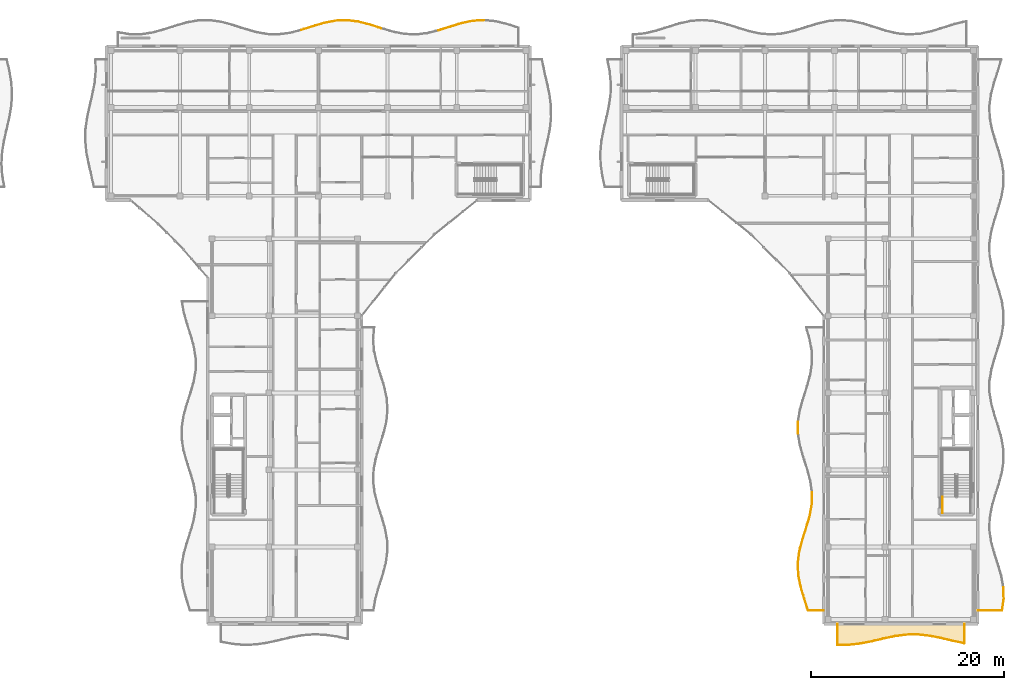
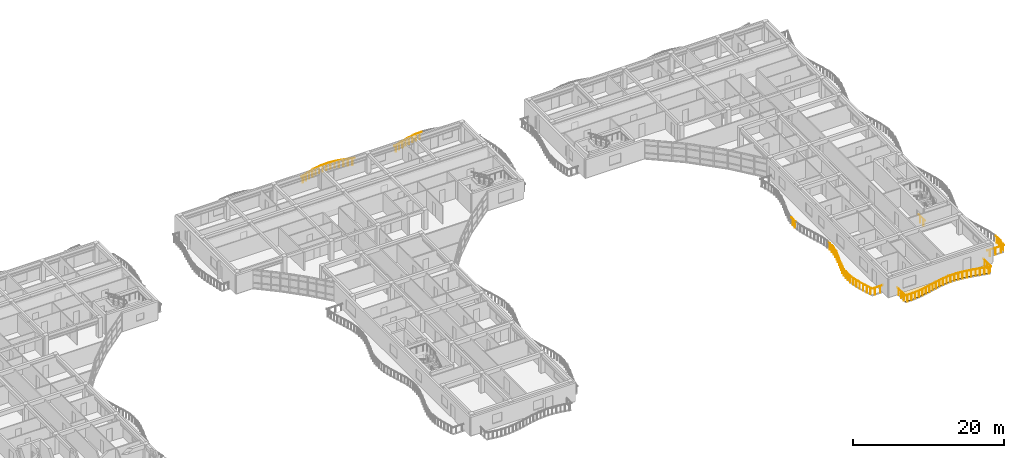
# One storey, part 69 of 76: 40 railings, 1 covering.
"""IFC4 building model written with IfcOpenShell, lengths in metres."""

import ifcopenshell
import ifcopenshell.guid

model = None  # the IFC model being written
_history = None  # IfcOwnerHistory: only IFC2X3 demands one
_inside = {}  # id of a spatial element -> (the spatial element, [elements in it])
_under = {}  # id of a project, library or spatial element -> (it, [spatial elements below it])
_declared = {}  # id of a project -> (the project, [libraries it declares])
_typed = {}  # id of a type object -> (the type object, [elements of that type])
_made_of = {}  # id of a material, layer set ... -> (it, [elements and type objects made of it])


def new_model(schema):
    """Start an empty IFC model of exactly this schema.

    Asked for "IFC4X3", IfcOpenShell would pick the latest addendum, in which some entities
    have other attributes; the version numbers below select the first issue.
    IFC2X3 requires an IfcOwnerHistory on every rooted entity: one is made here for all.
    """
    global model, _history
    if schema == "IFC4X3":
        model = ifcopenshell.file(schema_version=(4, 3, 0, 0))
    else:
        model = ifcopenshell.file(schema=schema)
    _inside.clear()
    _under.clear()
    _declared.clear()
    _typed.clear()
    _made_of.clear()
    _history = None
    if model.schema == "IFC2X3":
        org = make("IfcOrganization", Name="unknown")
        user = make(
            "IfcPersonAndOrganization",
            ThePerson=make("IfcPerson", FamilyName="unknown"),
            TheOrganization=org,
        )
        app = make(
            "IfcApplication",
            ApplicationDeveloper=org,
            Version="unknown",
            ApplicationFullName="unknown",
            ApplicationIdentifier="unknown",
        )
        _history = make(
            "IfcOwnerHistory",
            OwningUser=user,
            OwningApplication=app,
            ChangeAction="ADDED",
            CreationDate=0,
        )
    return model


def make(cls, **values):
    """One entity of the class cls with the attributes given. An attribute that is None is left unset."""
    return model.create_entity(
        cls, **{name: value for name, value in values.items() if value is not None}
    )


def rooted(cls, **values):
    """An entity with a GlobalId (a new one), such as an element, a storey or a relation."""
    return make(cls, GlobalId=ifcopenshell.guid.new(), OwnerHistory=_history, **values)


def si_unit(unit_type, name, prefix=None):
    """IfcSIUnit, for example si_unit("LENGTHUNIT", "METRE", prefix="MILLI")."""
    return make("IfcSIUnit", UnitType=unit_type, Prefix=prefix, Name=name)


def assignment(units):
    """IfcUnitAssignment: the units of a project."""
    return None if units is None else make("IfcUnitAssignment", Units=units)


def point(xyz):
    """IfcCartesianPoint."""
    return None if xyz is None else make("IfcCartesianPoint", Coordinates=xyz)


def direction(xyz):
    """IfcDirection."""
    return None if xyz is None else make("IfcDirection", DirectionRatios=xyz)


def frame(location, z_axis=None, x_axis=None):
    """IfcAxis2Placement3D, a coordinate frame: its origin and axes. An axis left out is left unset."""
    return make(
        "IfcAxis2Placement3D",
        Location=point(location),
        Axis=direction(z_axis),
        RefDirection=direction(x_axis),
    )


def frame_2d(location, x_axis=None):
    """IfcAxis2Placement2D, a coordinate frame in the plane: its origin and x axis."""
    return make(
        "IfcAxis2Placement2D", Location=point(location), RefDirection=direction(x_axis)
    )


def origin():
    """The frame at (0, 0, 0) with its axes left unset."""
    return frame((0.0, 0.0, 0.0))


def origin_2d():
    """The frame at (0, 0) in the plane with its x axis left unset."""
    return frame_2d((0.0, 0.0))


def place(relative_to, where):
    """IfcLocalPlacement: puts the frame where relative to a parent placement (None: the world)."""
    return make(
        "IfcLocalPlacement", PlacementRelTo=relative_to, RelativePlacement=where
    )


def context(
    kind, dimensions, precision=None, world=None, true_north=None, identifier=None
):
    """IfcGeometricRepresentationContext, for example the 3D "Model" context."""
    return make(
        "IfcGeometricRepresentationContext",
        ContextIdentifier=identifier,
        ContextType=kind,
        CoordinateSpaceDimension=dimensions,
        Precision=precision,
        WorldCoordinateSystem=world,
        TrueNorth=true_north,
    )


def subcontext(parent, identifier, kind, view, scale=None):
    """IfcGeometricRepresentationSubContext, for example "Body" below "Model"."""
    return make(
        "IfcGeometricRepresentationSubContext",
        ContextIdentifier=identifier,
        ContextType=kind,
        ParentContext=parent,
        TargetScale=scale,
        TargetView=view,
    )


def project(units=None, contexts=None):
    """IfcProject with its units and contexts."""
    return rooted(
        "IfcProject",
        Name="project",
        RepresentationContexts=contexts,
        UnitsInContext=assignment(units),
    )


def spatial(cls, under=None, at=None, **own):
    """A site, building, storey or space (cls), placed at a placement, below another one or the project."""
    s = rooted(cls, ObjectPlacement=at, **own)
    if under is not None:
        _under.setdefault(under.id(), (under, []))[1].append(s)
    return s


def polyline(points):
    """IfcPolyline through the points."""
    return make("IfcPolyline", Points=[point(p) for p in points])


def profile(cls, at=None, kind="AREA", **sizes):
    """A parametric profile (cls). Its sizes go by their IFC names, for example OverallWidth=200.0."""
    return make(cls, ProfileType=kind, Position=at, **sizes)


def circle(**sizes):
    """IfcCircleProfileDef."""
    return profile("IfcCircleProfileDef", **sizes)


def outline(outer, holes=None, kind="AREA"):
    """IfcArbitraryClosedProfileDef: a profile drawn as a closed curve; with holes, ...WithVoids."""
    if holes is None:
        return make("IfcArbitraryClosedProfileDef", ProfileType=kind, OuterCurve=outer)
    return make(
        "IfcArbitraryProfileDefWithVoids",
        ProfileType=kind,
        OuterCurve=outer,
        InnerCurves=holes,
    )


def extrude(swept, where, along, depth):
    """IfcExtrudedAreaSolid: the profile swept, set in the frame where, extruded along a direction by depth."""
    return make(
        "IfcExtrudedAreaSolid",
        SweptArea=swept,
        Position=where,
        ExtrudedDirection=direction(along),
        Depth=depth,
    )


def shape(context_of_items, identifier, shape_type, items):
    """IfcShapeRepresentation: the items that make up one representation, for example the "Body"."""
    return make(
        "IfcShapeRepresentation",
        ContextOfItems=context_of_items,
        RepresentationIdentifier=identifier,
        RepresentationType=shape_type,
        Items=items,
    )


def material(Name=None, Category=None):
    """IfcMaterial."""
    return make("IfcMaterial", Name=Name, Category=Category)


def layer(
    of_material, thickness, ventilated=None, Name=None, Category=None, Priority=None
):
    """IfcMaterialLayer: one layer of a wall or slab, of a material (None: an air gap)."""
    return make(
        "IfcMaterialLayer",
        Material=of_material,
        LayerThickness=thickness,
        IsVentilated=ventilated,
        Name=Name,
        Category=Category,
        Priority=Priority,
    )


def layer_set(layers, Name=None):
    """IfcMaterialLayerSet."""
    return make("IfcMaterialLayerSet", MaterialLayers=layers, LayerSetName=Name)


def made_of(thing, what):
    """Note that an element or type object is made of a material, layer set ...; save() writes the relation."""
    if what is not None:
        _made_of.setdefault(what.id(), (what, []))[1].append(thing)
    return thing


def type_object(cls, material=None, **own):
    """A type object (cls), such as IfcWallType, which elements share."""
    return made_of(rooted(cls, **own), material)


def element(
    cls,
    number,
    at=None,
    inside=None,
    cuts=None,
    type_object=None,
    material=None,
    context=None,
    identifier="Body",
    shape_type=None,
    held_by="IfcProductDefinitionShape",
    body=None,
    shapes=None,
    **own,
):
    """One element of the class cls, such as IfcWall. Its Tag is "e" and its number.

    at: its placement. inside: the storey or other place that contains it. cuts: it is an
    opening in that element (IfcRelVoidsElement). A single representation is given by context,
    identifier, shape_type and body (its items); several are given by shapes. held_by: the class
    of the entity that holds the representations. save() writes the other relations.
    """
    e = rooted(cls, Tag="e%d" % number, ObjectPlacement=at, **own)
    if body is not None:
        shapes = [shape(context, identifier, shape_type, body)]
    if shapes is not None:
        e.Representation = make(held_by, Representations=shapes)
    if inside is not None:
        _inside.setdefault(inside.id(), (inside, []))[1].append(e)
    if cuts is not None:
        rooted(
            "IfcRelVoidsElement", RelatingBuildingElement=cuts, RelatedOpeningElement=e
        )
    if type_object is not None:
        _typed.setdefault(type_object.id(), (type_object, []))[1].append(e)
    return made_of(e, material)


def aggregate(whole, parts):
    """IfcRelAggregates: a whole, such as a stair, and the parts it consists of."""
    return rooted("IfcRelAggregates", RelatingObject=whole, RelatedObjects=parts)


def save(model, path):
    """Write the relations noted so far, then the file.

    IfcRelAggregates (storeys below a building ...), IfcRelContainedInSpatialStructure (elements
    in a storey), IfcRelDefinesByType, IfcRelAssociatesMaterial and IfcRelDeclares: one each for
    every whole, place, type object, material and project.
    """
    for whole, parts in _under.values():
        aggregate(whole, parts)
    for where, things in _inside.values():
        rooted(
            "IfcRelContainedInSpatialStructure",
            RelatedElements=things,
            RelatingStructure=where,
        )
    for kind, things in _typed.values():
        rooted("IfcRelDefinesByType", RelatedObjects=things, RelatingType=kind)
    for what, things in _made_of.values():
        rooted("IfcRelAssociatesMaterial", RelatedObjects=things, RelatingMaterial=what)
    for by, libraries in _declared.values():
        rooted("IfcRelDeclares", RelatingContext=by, RelatedDefinitions=libraries)
    model.write(path)


model = new_model("IFC4")

# Units and contexts
model_context = context("Model", 3, precision=1e-05, world=origin(), true_north=direction((0.0, 1.0)))
body_context = subcontext(model_context, "Body", "Model", "MODEL_VIEW")
ifc_project = project(units=[si_unit("LENGTHUNIT", "METRE"), si_unit("AREAUNIT", "SQUARE_METRE"), si_unit("VOLUMEUNIT", "CUBIC_METRE"), si_unit("PLANEANGLEUNIT", "RADIAN"), si_unit("MASSUNIT", "GRAM", prefix="KILO")], contexts=[model_context])

# Site, building, storey
site_placement = place(None, origin())
site = spatial("IfcSite", under=ifc_project, at=site_placement, CompositionType="ELEMENT")
building_placement = place(site_placement, origin())
building = spatial("IfcBuilding", under=site, at=building_placement, Name="Keldmere Railside Commons", CompositionType="ELEMENT")
storey_placement = place(building_placement, frame((0.0, 0.0, 13.760009765625)))
storey = spatial("IfcBuildingStorey", under=building, at=storey_placement, Name="L04", CompositionType="ELEMENT", Elevation=13.760009765625)

# Railings
ifc_material_1 = material(Name="Steel F-24 (S235)", Category="steel")
railing_type_1 = type_object("IfcRailingType", Name="Balcony & Terrace Steel Balustrade 1100", PredefinedType="BALUSTRADE", material=ifc_material_1)
railing_1_placement = place(storey_placement, frame((113.717041015625, 117.6796875, 0.0)))
element("IfcRailing", 1, at=railing_1_placement, inside=storey, type_object=railing_type_1, Name="GR-1 GRD-L04-2254", PredefinedType="BALUSTRADE", context=body_context, shape_type="SweptSolid", body=[
    extrude(circle(Radius=0.02392578125, at=origin_2d()), frame((0.0, 0.0, 1.076171875), z_axis=(0.951973620287, 0.306180055323, 0.0), x_axis=(-0.306180055323, 0.951973620287, 0.0)), (0.0, 0.0, 1.0), 1.248779296875),
    extrude(circle(Radius=0.02099609375, at=origin_2d()), frame((0.297119140625, 0.095703125, 0.0)), (0.0, 0.0, 1.0), 1.048095703125),
    extrude(circle(Radius=0.02099609375, at=origin_2d()), frame((0.8916015625, 0.28662109375, 0.0)), (0.0, 0.0, 1.0), 1.048095703125),
])
railing_2_placement = place(storey_placement, frame((114.90576171875, 118.06201171875, 0.0)))
element("IfcRailing", 2, at=railing_2_placement, inside=storey, type_object=railing_type_1, Name="GR-1 GRD-L04-2255", PredefinedType="BALUSTRADE", context=body_context, shape_type="SweptSolid", body=[
    extrude(circle(Radius=0.02392578125, at=origin_2d()), frame((0.0, 0.0, 1.076171875), z_axis=(0.958656939745, 0.284564354546, 0.0), x_axis=(-0.284564354546, 0.958656939745, 0.0)), (0.0, 0.0, 1.0), 1.23974609375),
    extrude(circle(Radius=0.02099609375, at=origin_2d()), frame((0.297119140625, 0.088134765625, 0.0)), (0.0, 0.0, 1.0), 1.048095703125),
    extrude(circle(Radius=0.02099609375, at=origin_2d()), frame((0.891357421875, 0.2646484375, 0.0)), (0.0, 0.0, 1.0), 1.048095703125),
])
railing_3_placement = place(storey_placement, frame((116.09423828125, 118.414794921875, 0.0)))
element("IfcRailing", 3, at=railing_3_placement, inside=storey, type_object=railing_type_1, Name="GR-1 GRD-L04-2256", PredefinedType="BALUSTRADE", context=body_context, shape_type="SweptSolid", body=[
    extrude(circle(Radius=0.02392578125, at=origin_2d()), frame((0.0, 0.0, 1.076171875), z_axis=(0.981681437742, 0.190529669063, 0.0), x_axis=(-0.190529669063, 0.981681437742, 0.0)), (0.0, 0.0, 1.0), 1.2109375),
    extrude(circle(Radius=0.02099609375, at=origin_2d()), frame((0.297119140625, 0.0576171875, 0.0)), (0.0, 0.0, 1.0), 1.048095703125),
    extrude(circle(Radius=0.02099609375, at=origin_2d()), frame((0.8916015625, 0.173095703125, 0.0)), (0.0, 0.0, 1.0), 1.048095703125),
])
railing_4_placement = place(storey_placement, frame((117.282958984375, 118.6455078125, 0.0)))
element("IfcRailing", 4, at=railing_4_placement, inside=storey, type_object=railing_type_1, Name="GR-1 GRD-L04-2257", PredefinedType="BALUSTRADE", context=body_context, shape_type="SweptSolid", body=[
    extrude(circle(Radius=0.02392578125, at=origin_2d()), frame((0.0, 0.0, 1.076171875), z_axis=(0.999198661851, 0.04002541887, 0.0), x_axis=(-0.04002541887, 0.999198661851, 0.0)), (0.0, 0.0, 1.0), 1.189453125),
    extrude(circle(Radius=0.02099609375, at=origin_2d()), frame((0.297119140625, 0.011962890625, 0.0)), (0.0, 0.0, 1.0), 1.048095703125),
    extrude(circle(Radius=0.02099609375, at=origin_2d()), frame((0.891357421875, 0.03564453125, 0.0)), (0.0, 0.0, 1.0), 1.048095703125),
])
railing_5_placement = place(storey_placement, frame((118.471435546875, 118.693115234375, 0.0)))
element("IfcRailing", 5, at=railing_5_placement, inside=storey, type_object=railing_type_1, Name="GR-1 GRD-L04-2258", PredefinedType="BALUSTRADE", context=body_context, shape_type="SweptSolid", body=[
    extrude(circle(Radius=0.02392578125, at=origin_2d()), frame((0.0, 0.0, 1.076171875), z_axis=(0.992365442429, -0.123332188305, 0.0), x_axis=(0.123332188305, 0.992365442429, 0.0)), (0.0, 0.0, 1.0), 1.197509765625),
    extrude(circle(Radius=0.02099609375, at=origin_2d()), frame((0.297119140625, -0.036865234375, 0.0)), (0.0, 0.0, 1.0), 1.048095703125),
    extrude(circle(Radius=0.02099609375, at=origin_2d()), frame((0.891357421875, -0.11083984375, 0.0)), (0.0, 0.0, 1.0), 1.048095703125),
])
railing_6_placement = place(storey_placement, frame((119.659912109375, 118.54541015625, 0.0)))
element("IfcRailing", 6, at=railing_6_placement, inside=storey, type_object=railing_type_1, Name="GR-1 GRD-L04-2259", PredefinedType="BALUSTRADE", context=body_context, shape_type="SweptSolid", body=[
    extrude(circle(Radius=0.02392578125, at=origin_2d()), frame((0.0, 0.0, 1.076171875), z_axis=(0.968733788698, -0.248102492197, 0.0), x_axis=(0.248102492197, 0.968733788698, 0.0)), (0.0, 0.0, 1.0), 1.22705078125),
    extrude(circle(Radius=0.02099609375, at=origin_2d()), frame((0.297119140625, -0.076171875, 0.0)), (0.0, 0.0, 1.0), 1.048095703125),
    extrude(circle(Radius=0.02099609375, at=origin_2d()), frame((0.8916015625, -0.228271484375, 0.0)), (0.0, 0.0, 1.0), 1.048095703125),
])
railing_7_placement = place(storey_placement, frame((120.8486328125, 118.240966796875, 0.0)))
element("IfcRailing", 7, at=railing_7_placement, inside=storey, type_object=railing_type_1, Name="GR-1 GRD-L04-2260", PredefinedType="BALUSTRADE", context=body_context, shape_type="SweptSolid", body=[
    extrude(circle(Radius=0.02392578125, at=origin_2d()), frame((0.0, 0.0, 1.076171875), z_axis=(0.952296866166, -0.305173194581, 0.0), x_axis=(0.305173194581, 0.952296866166, 0.0)), (0.0, 0.0, 1.0), 1.248046875),
    extrude(circle(Radius=0.02099609375, at=origin_2d()), frame((0.297119140625, -0.09521484375, 0.0)), (0.0, 0.0, 1.0), 1.048095703125),
    extrude(circle(Radius=0.02099609375, at=origin_2d()), frame((0.891357421875, -0.28564453125, 0.0)), (0.0, 0.0, 1.0), 1.048095703125),
])
railing_8_placement = place(storey_placement, frame((127.97998046875, 117.638427734375, 0.0)))
element("IfcRailing", 8, at=railing_8_placement, inside=storey, type_object=railing_type_1, Name="GR-1 GRD-L04-2266", PredefinedType="BALUSTRADE", context=body_context, shape_type="SweptSolid", body=[
    extrude(circle(Radius=0.02392578125, at=origin_2d()), frame((0.0, 0.0, 1.076171875), z_axis=(0.952712254037, 0.303873922883, 0.0), x_axis=(-0.303873922883, 0.952712254037, 0.0)), (0.0, 0.0, 1.0), 1.247802734375),
    extrude(circle(Radius=0.02099609375, at=origin_2d()), frame((0.297119140625, 0.0947265625, 0.0)), (0.0, 0.0, 1.0), 1.048095703125),
    extrude(circle(Radius=0.02099609375, at=origin_2d()), frame((0.8916015625, 0.284423828125, 0.0)), (0.0, 0.0, 1.0), 1.048095703125),
])
railing_9_placement = place(storey_placement, frame((129.168701171875, 118.017578125, 0.0)))
element("IfcRailing", 9, at=railing_9_placement, inside=storey, type_object=railing_type_1, Name="GR-1 GRD-L04-2267", PredefinedType="BALUSTRADE", context=body_context, shape_type="SweptSolid", body=[
    extrude(circle(Radius=0.02392578125, at=origin_2d()), frame((0.0, 0.0, 1.076171875), z_axis=(0.95675952797, 0.290880053697, 0.0), x_axis=(-0.290880053697, 0.95675952797, 0.0)), (0.0, 0.0, 1.0), 1.2421875),
    extrude(circle(Radius=0.02099609375, at=origin_2d()), frame((0.297119140625, 0.09033203125, 0.0)), (0.0, 0.0, 1.0), 1.048095703125),
    extrude(circle(Radius=0.02099609375, at=origin_2d()), frame((0.891357421875, 0.27099609375, 0.0)), (0.0, 0.0, 1.0), 1.048095703125),
])
railing_10_placement = place(storey_placement, frame((130.357177734375, 118.37890625, 0.0)))
element("IfcRailing", 10, at=railing_10_placement, inside=storey, type_object=railing_type_1, Name="GR-1 GRD-L04-2268", PredefinedType="BALUSTRADE", context=body_context, shape_type="SweptSolid", body=[
    extrude(circle(Radius=0.02392578125, at=origin_2d()), frame((0.0, 0.0, 1.076171875), z_axis=(0.978826241106, 0.204692915663, 0.0), x_axis=(-0.204692915663, 0.978826241106, 0.0)), (0.0, 0.0, 1.0), 1.214111328125),
    extrude(circle(Radius=0.02099609375, at=origin_2d()), frame((0.297119140625, 0.06201171875, 0.0)), (0.0, 0.0, 1.0), 1.048095703125),
    extrude(circle(Radius=0.02099609375, at=origin_2d()), frame((0.891357421875, 0.1865234375, 0.0)), (0.0, 0.0, 1.0), 1.048095703125),
])
railing_11_placement = place(storey_placement, frame((131.545654296875, 118.62744140625, 0.0)))
element("IfcRailing", 11, at=railing_11_placement, inside=storey, type_object=railing_type_1, Name="GR-1 GRD-L04-2269", PredefinedType="BALUSTRADE", context=body_context, shape_type="SweptSolid", body=[
    extrude(circle(Radius=0.02392578125, at=origin_2d()), frame((0.0, 0.0, 1.076171875), z_axis=(0.998243126607, 0.059250824315, 0.0), x_axis=(-0.059250824315, 0.998243126607, 0.0)), (0.0, 0.0, 1.0), 1.19091796875),
    extrude(circle(Radius=0.02099609375, at=origin_2d()), frame((0.297119140625, 0.017578125, 0.0)), (0.0, 0.0, 1.0), 1.048095703125),
    extrude(circle(Radius=0.02099609375, at=origin_2d()), frame((0.8916015625, 0.052978515625, 0.0)), (0.0, 0.0, 1.0), 1.048095703125),
])
railing_12_placement = place(storey_placement, frame((168.0, 57.39990234375, 0.0)))
element("IfcRailing", 12, at=railing_12_placement, inside=storey, type_object=railing_type_1, Name="GR-1 GRD-L04-3586", PredefinedType="BALUSTRADE", context=body_context, shape_type="SweptSolid", body=[
    extrude(circle(Radius=0.02392578125, at=origin_2d()), frame((0.0, 0.0, 1.076171875), z_axis=(-1.0, 0.0, 0.0), x_axis=(0.0, -1.0, 0.0)), (0.0, 0.0, 1.0), 1.63525390625),
    extrude(circle(Radius=0.02099609375, at=origin_2d()), frame((-0.40869140625, 0.0, 0.0)), (0.0, 0.0, 1.0), 1.048095703125),
    extrude(circle(Radius=0.02099609375, at=origin_2d()), frame((-1.2265625, 0.0, 0.0)), (0.0, 0.0, 1.0), 1.048095703125),
])
railing_13_placement = place(storey_placement, frame((166.36474609375, 57.39990234375, 0.0)))
element("IfcRailing", 13, at=railing_13_placement, inside=storey, type_object=railing_type_1, Name="GR-1 GRD-L04-3587", PredefinedType="BALUSTRADE", context=body_context, shape_type="SweptSolid", body=[
    extrude(circle(Radius=0.02392578125, at=origin_2d()), frame((0.0, 0.0, 1.076171875), z_axis=(-0.30378352559, 0.952741082131, 0.0), x_axis=(-0.952741082131, -0.30378352559, 0.0)), (0.0, 0.0, 1.0), 1.285888671875),
    extrude(circle(Radius=0.02099609375, at=origin_2d()), frame((-0.09765625, 0.30615234375, 0.0)), (0.0, 0.0, 1.0), 1.048095703125),
    extrude(circle(Radius=0.02099609375, at=origin_2d()), frame((-0.29296875, 0.9189453125, 0.0)), (0.0, 0.0, 1.0), 1.048095703125),
])
railing_14_placement = place(storey_placement, frame((165.97412109375, 58.625, 0.0)))
element("IfcRailing", 14, at=railing_14_placement, inside=storey, type_object=railing_type_1, Name="GR-1 GRD-L04-3588", PredefinedType="BALUSTRADE", context=body_context, shape_type="SweptSolid", body=[
    extrude(circle(Radius=0.02392578125, at=origin_2d()), frame((0.0, 0.0, 1.076171875), z_axis=(-0.288852829473, 0.957373512745, 0.0), x_axis=(-0.957373512745, -0.288852829473, 0.0)), (0.0, 0.0, 1.0), 1.279541015625),
    extrude(circle(Radius=0.02099609375, at=origin_2d()), frame((-0.09228515625, 0.30615234375, 0.0)), (0.0, 0.0, 1.0), 1.048095703125),
    extrude(circle(Radius=0.02099609375, at=origin_2d()), frame((-0.27734375, 0.9189453125, 0.0)), (0.0, 0.0, 1.0), 1.048095703125),
])
railing_15_placement = place(storey_placement, frame((165.6044921875, 59.85009765625, 0.0)))
element("IfcRailing", 15, at=railing_15_placement, inside=storey, type_object=railing_type_1, Name="GR-1 GRD-L04-3589", PredefinedType="BALUSTRADE", context=body_context, shape_type="SweptSolid", body=[
    extrude(circle(Radius=0.02392578125, at=origin_2d()), frame((0.0, 0.0, 1.076171875), z_axis=(-0.196228891786, 0.980558117619, 0.0), x_axis=(-0.980558117619, -0.196228891786, 0.0)), (0.0, 0.0, 1.0), 1.2490234375),
    extrude(circle(Radius=0.02099609375, at=origin_2d()), frame((-0.061279296875, 0.30615234375, 0.0)), (0.0, 0.0, 1.0), 1.048095703125),
    extrude(circle(Radius=0.02099609375, at=origin_2d()), frame((-0.183837890625, 0.918701171875, 0.0)), (0.0, 0.0, 1.0), 1.048095703125),
])
railing_16_placement = place(storey_placement, frame((165.359375, 61.074951171875, 0.0)))
element("IfcRailing", 16, at=railing_16_placement, inside=storey, type_object=railing_type_1, Name="GR-1 GRD-L04-3590", PredefinedType="BALUSTRADE", context=body_context, shape_type="SweptSolid", body=[
    extrude(circle(Radius=0.02392578125, at=origin_2d()), frame((0.0, 0.0, 1.076171875), z_axis=(-0.043005214652, 0.999074847803, 0.0), x_axis=(-0.999074847803, -0.043005214652, 0.0)), (0.0, 0.0, 1.0), 1.226318359375),
    extrude(circle(Radius=0.02099609375, at=origin_2d()), frame((-0.01318359375, 0.30615234375, 0.0)), (0.0, 0.0, 1.0), 1.048095703125),
    extrude(circle(Radius=0.02099609375, at=origin_2d()), frame((-0.03955078125, 0.9189453125, 0.0)), (0.0, 0.0, 1.0), 1.048095703125),
])
railing_17_placement = place(storey_placement, frame((165.306640625, 62.300048828125, 0.0)))
element("IfcRailing", 17, at=railing_17_placement, inside=storey, type_object=railing_type_1, Name="GR-1 GRD-L04-3591", PredefinedType="BALUSTRADE", context=body_context, shape_type="SweptSolid", body=[
    extrude(circle(Radius=0.02392578125, at=origin_2d()), frame((0.0, 0.0, 1.076171875), z_axis=(0.125373234272, 0.992109647231, 0.0), x_axis=(-0.992109647231, 0.125373234272, 0.0)), (0.0, 0.0, 1.0), 1.234619140625),
    extrude(circle(Radius=0.02099609375, at=origin_2d()), frame((0.03857421875, 0.30615234375, 0.0)), (0.0, 0.0, 1.0), 1.048095703125),
    extrude(circle(Radius=0.02099609375, at=origin_2d()), frame((0.1162109375, 0.918701171875, 0.0)), (0.0, 0.0, 1.0), 1.048095703125),
])
railing_18_placement = place(storey_placement, frame((165.46142578125, 63.52490234375, 0.0)))
element("IfcRailing", 18, at=railing_18_placement, inside=storey, type_object=railing_type_1, Name="GR-1 GRD-L04-3592", PredefinedType="BALUSTRADE", context=body_context, shape_type="SweptSolid", body=[
    extrude(circle(Radius=0.02392578125, at=origin_2d()), frame((0.0, 0.0, 1.076171875), z_axis=(0.25205290683, 0.967713455605, 0.0), x_axis=(-0.967713455605, 0.25205290683, 0.0)), (0.0, 0.0, 1.0), 1.265869140625),
    extrude(circle(Radius=0.02099609375, at=origin_2d()), frame((0.079833984375, 0.30615234375, 0.0)), (0.0, 0.0, 1.0), 1.048095703125),
    extrude(circle(Radius=0.02099609375, at=origin_2d()), frame((0.2392578125, 0.9189453125, 0.0)), (0.0, 0.0, 1.0), 1.048095703125),
])
railing_19_placement = place(storey_placement, frame((165.780517578125, 64.75, 0.0)))
element("IfcRailing", 19, at=railing_19_placement, inside=storey, type_object=railing_type_1, Name="GR-1 GRD-L04-3593", PredefinedType="BALUSTRADE", context=body_context, shape_type="SweptSolid", body=[
    extrude(circle(Radius=0.02392578125, at=origin_2d()), frame((0.0, 0.0, 1.076171875), z_axis=(0.306193402616, 0.951969327339, 0.0), x_axis=(-0.951969327339, 0.306193402616, 0.0)), (0.0, 0.0, 1.0), 1.286865234375),
    extrude(circle(Radius=0.02099609375, at=origin_2d()), frame((0.0986328125, 0.30615234375, 0.0)), (0.0, 0.0, 1.0), 1.048095703125),
    extrude(circle(Radius=0.02099609375, at=origin_2d()), frame((0.29541015625, 0.9189453125, 0.0)), (0.0, 0.0, 1.0), 1.048095703125),
])
railing_20_placement = place(storey_placement, frame((166.174560546875, 65.97509765625, 0.0)))
element("IfcRailing", 20, at=railing_20_placement, inside=storey, type_object=railing_type_1, Name="GR-1 GRD-L04-3594", PredefinedType="BALUSTRADE", context=body_context, shape_type="SweptSolid", body=[
    extrude(circle(Radius=0.02392578125, at=origin_2d()), frame((0.0, 0.0, 1.076171875), z_axis=(0.281534617776, 0.959551071592, 0.0), x_axis=(-0.959551071592, 0.281534617776, 0.0)), (0.0, 0.0, 1.0), 1.2763671875),
    extrude(circle(Radius=0.02099609375, at=origin_2d()), frame((0.08984375, 0.30615234375, 0.0)), (0.0, 0.0, 1.0), 1.048095703125),
    extrude(circle(Radius=0.02099609375, at=origin_2d()), frame((0.26953125, 0.918701171875, 0.0)), (0.0, 0.0, 1.0), 1.048095703125),
])
railing_21_placement = place(storey_placement, frame((166.533935546875, 67.199951171875, 0.0)))
element("IfcRailing", 21, at=railing_21_placement, inside=storey, type_object=railing_type_1, Name="GR-1 GRD-L04-3595", PredefinedType="BALUSTRADE", context=body_context, shape_type="SweptSolid", body=[
    extrude(circle(Radius=0.02392578125, at=origin_2d()), frame((0.0, 0.0, 1.076171875), z_axis=(0.180144539255, 0.983640150145, 0.0), x_axis=(-0.983640150145, 0.180144539255, 0.0)), (0.0, 0.0, 1.0), 1.245361328125),
    extrude(circle(Radius=0.02099609375, at=origin_2d()), frame((0.05615234375, 0.30615234375, 0.0)), (0.0, 0.0, 1.0), 1.048095703125),
    extrude(circle(Radius=0.02099609375, at=origin_2d()), frame((0.168212890625, 0.9189453125, 0.0)), (0.0, 0.0, 1.0), 1.048095703125),
])
railing_22_placement = place(storey_placement, frame((166.75830078125, 68.425048828125, 0.0)))
element("IfcRailing", 22, at=railing_22_placement, inside=storey, type_object=railing_type_1, Name="GR-1 GRD-L04-3596", PredefinedType="BALUSTRADE", context=body_context, shape_type="SweptSolid", body=[
    extrude(circle(Radius=0.02392578125, at=origin_2d()), frame((0.0, 0.0, 1.076171875), z_axis=(0.021920185295, 0.999759723872, 0.0), x_axis=(-0.999759723872, 0.021920185295, 0.0)), (0.0, 0.0, 1.0), 1.22509765625),
    extrude(circle(Radius=0.02099609375, at=origin_2d()), frame((0.0068359375, 0.30615234375, 0.0)), (0.0, 0.0, 1.0), 1.048095703125),
    extrude(circle(Radius=0.02099609375, at=origin_2d()), frame((0.02001953125, 0.918701171875, 0.0)), (0.0, 0.0, 1.0), 1.048095703125),
])
railing_23_placement = place(storey_placement, frame((165.3271484375, 75.77490234375, 0.0)))
element("IfcRailing", 23, at=railing_23_placement, inside=storey, type_object=railing_type_1, Name="GR-1 GRD-L04-3602", PredefinedType="BALUSTRADE", context=body_context, shape_type="SweptSolid", body=[
    extrude(circle(Radius=0.02392578125, at=origin_2d()), frame((0.0, 0.0, 1.076171875), z_axis=(-0.000797130078, 0.999999682292, 0.0), x_axis=(-0.999999682292, -0.000797130078, 0.0)), (0.0, 0.0, 1.0), 1.22509765625),
    extrude(circle(Radius=0.02099609375, at=origin_2d()), frame((-0.000244140625, 0.30615234375, 0.0)), (0.0, 0.0, 1.0), 1.048095703125),
    extrude(circle(Radius=0.02099609375, at=origin_2d()), frame((-0.000732421875, 0.9189453125, 0.0)), (0.0, 0.0, 1.0), 1.048095703125),
])
railing_24_placement = place(storey_placement, frame((184.0, 57.39990234375, 0.0)))
element("IfcRailing", 24, at=railing_24_placement, inside=storey, type_object=railing_type_1, Name="GR-1 GRD-L04-3612", PredefinedType="BALUSTRADE", context=body_context, shape_type="SweptSolid", body=[
    extrude(circle(Radius=0.02392578125, at=origin_2d()), frame((0.0, 0.0, 1.076171875), z_axis=(1.0, 0.0, 0.0), x_axis=(0.0, 1.0, 0.0)), (0.0, 0.0, 1.0), 2.521728515625),
    extrude(circle(Radius=0.02099609375, at=origin_2d()), frame((0.42041015625, 0.0, 0.0)), (0.0, 0.0, 1.0), 1.048095703125),
    extrude(circle(Radius=0.02099609375, at=origin_2d()), frame((1.2607421875, 0.0, 0.0)), (0.0, 0.0, 1.0), 1.048095703125),
    extrude(circle(Radius=0.02099609375, at=origin_2d()), frame((2.1015625, 0.0, 0.0)), (0.0, 0.0, 1.0), 1.048095703125),
])
railing_25_placement = place(storey_placement, frame((186.521728515625, 57.39990234375, 0.0)))
element("IfcRailing", 25, at=railing_25_placement, inside=storey, type_object=railing_type_1, Name="GR-1 GRD-L04-3613", PredefinedType="BALUSTRADE", context=body_context, shape_type="SweptSolid", body=[
    extrude(circle(Radius=0.02392578125, at=origin_2d()), frame((0.0, 0.0, 1.076171875), z_axis=(0.137557313086, 0.990493808974, 0.0), x_axis=(-0.990493808974, 0.137557313086, 0.0)), (0.0, 0.0, 1.0), 1.203369140625),
    extrude(circle(Radius=0.02099609375, at=origin_2d()), frame((0.04150390625, 0.2978515625, 0.0)), (0.0, 0.0, 1.0), 1.048095703125),
    extrude(circle(Radius=0.02099609375, at=origin_2d()), frame((0.1240234375, 0.89404296875, 0.0)), (0.0, 0.0, 1.0), 1.048095703125),
])
railing_26_placement = place(storey_placement, frame((186.687255859375, 58.591796875, 0.0)))
element("IfcRailing", 26, at=railing_26_placement, inside=storey, type_object=railing_type_1, Name="GR-1 GRD-L04-3614", PredefinedType="BALUSTRADE", context=body_context, shape_type="SweptSolid", body=[
    extrude(circle(Radius=0.02392578125, at=origin_2d()), frame((0.0, 0.0, 1.076171875), z_axis=(-0.02437799891, 0.999702812424, 0.0), x_axis=(-0.999702812424, -0.02437799891, 0.0)), (0.0, 0.0, 1.0), 1.191650390625),
    extrude(circle(Radius=0.02099609375, at=origin_2d()), frame((-0.00732421875, 0.2978515625, 0.0)), (0.0, 0.0, 1.0), 1.048095703125),
    extrude(circle(Radius=0.02099609375, at=origin_2d()), frame((-0.021728515625, 0.8935546875, 0.0)), (0.0, 0.0, 1.0), 1.048095703125),
])
railing_27_placement = place(storey_placement, frame((169.39990234375, 56.0, 0.0)))
element("IfcRailing", 27, at=railing_27_placement, inside=storey, type_object=railing_type_1, Name="GR-1 GRD-L04-3675", PredefinedType="BALUSTRADE", context=body_context, shape_type="SweptSolid", body=[
    extrude(circle(Radius=0.02392578125, at=origin_2d()), frame((0.0, 0.0, 1.076171875), z_axis=(0.0, -1.0, 0.0), x_axis=(1.0, 0.0, 0.0)), (0.0, 0.0, 1.0), 2.1748046875),
    extrude(circle(Radius=0.02099609375, at=origin_2d()), frame((0.0, -0.362548828125, 0.0)), (0.0, 0.0, 1.0), 1.048095703125),
    extrude(circle(Radius=0.02099609375, at=origin_2d()), frame((0.0, -1.08740234375, 0.0)), (0.0, 0.0, 1.0), 1.048095703125),
    extrude(circle(Radius=0.02099609375, at=origin_2d()), frame((0.0, -1.812255859375, 0.0)), (0.0, 0.0, 1.0), 1.048095703125),
])
railing_28_placement = place(storey_placement, frame((169.39990234375, 53.8251953125, 0.0)))
element("IfcRailing", 28, at=railing_28_placement, inside=storey, type_object=railing_type_1, Name="GR-1 GRD-L04-3676", PredefinedType="BALUSTRADE", context=body_context, shape_type="SweptSolid", body=[
    extrude(circle(Radius=0.02392578125, at=origin_2d()), frame((0.0, 0.0, 1.076171875), z_axis=(0.999950328639, -0.009966958117, 0.0), x_axis=(0.009966958117, 0.999950328639, 0.0)), (0.0, 0.0, 1.0), 1.2001953125),
    extrude(circle(Radius=0.02099609375, at=origin_2d()), frame((0.300048828125, -0.0029296875, 0.0)), (0.0, 0.0, 1.0), 1.048095703125),
    extrude(circle(Radius=0.02099609375, at=origin_2d()), frame((0.900146484375, -0.009033203125, 0.0)), (0.0, 0.0, 1.0), 1.048095703125),
])
railing_29_placement = place(storey_placement, frame((170.60009765625, 53.813232421875, 0.0)))
element("IfcRailing", 29, at=railing_29_placement, inside=storey, type_object=railing_type_1, Name="GR-1 GRD-L04-3677", PredefinedType="BALUSTRADE", context=body_context, shape_type="SweptSolid", body=[
    extrude(circle(Radius=0.02392578125, at=origin_2d()), frame((0.0, 0.0, 1.076171875), z_axis=(0.994018634863, 0.10921059264, 0.0), x_axis=(-0.10921059264, 0.994018634863, 0.0)), (0.0, 0.0, 1.0), 1.207275390625),
    extrude(circle(Radius=0.02099609375, at=origin_2d()), frame((0.300048828125, 0.032958984375, 0.0)), (0.0, 0.0, 1.0), 1.048095703125),
    extrude(circle(Radius=0.02099609375, at=origin_2d()), frame((0.89990234375, 0.098876953125, 0.0)), (0.0, 0.0, 1.0), 1.048095703125),
])
railing_30_placement = place(storey_placement, frame((171.800048828125, 53.945068359375, 0.0)))
element("IfcRailing", 30, at=railing_30_placement, inside=storey, type_object=railing_type_1, Name="GR-1 GRD-L04-3678", PredefinedType="BALUSTRADE", context=body_context, shape_type="SweptSolid", body=[
    extrude(circle(Radius=0.02392578125, at=origin_2d()), frame((0.0, 0.0, 1.076171875), z_axis=(0.980542291551, 0.196307958268, 0.0), x_axis=(-0.196307958268, 0.980542291551, 0.0)), (0.0, 0.0, 1.0), 1.223876953125),
    extrude(circle(Radius=0.02099609375, at=origin_2d()), frame((0.300048828125, 0.06005859375, 0.0)), (0.0, 0.0, 1.0), 1.048095703125),
    extrude(circle(Radius=0.02099609375, at=origin_2d()), frame((0.89990234375, 0.18017578125, 0.0)), (0.0, 0.0, 1.0), 1.048095703125),
])
railing_31_placement = place(storey_placement, frame((173.0, 54.185302734375, 0.0)))
element("IfcRailing", 31, at=railing_31_placement, inside=storey, type_object=railing_type_1, Name="GR-1 GRD-L04-3679", PredefinedType="BALUSTRADE", context=body_context, shape_type="SweptSolid", body=[
    extrude(circle(Radius=0.02392578125, at=origin_2d()), frame((0.0, 0.0, 1.076171875), z_axis=(0.973039379301, 0.230639039041, 0.0), x_axis=(-0.230639039041, 0.973039379301, 0.0)), (0.0, 0.0, 1.0), 1.233154296875),
    extrude(circle(Radius=0.02099609375, at=origin_2d()), frame((0.300048828125, 0.071044921875, 0.0)), (0.0, 0.0, 1.0), 1.048095703125),
    extrude(circle(Radius=0.02099609375, at=origin_2d()), frame((0.89990234375, 0.21337890625, 0.0)), (0.0, 0.0, 1.0), 1.048095703125),
])
railing_32_placement = place(storey_placement, frame((174.199951171875, 54.4697265625, 0.0)))
element("IfcRailing", 32, at=railing_32_placement, inside=storey, type_object=railing_type_1, Name="GR-1 GRD-L04-3680", PredefinedType="BALUSTRADE", context=body_context, shape_type="SweptSolid", body=[
    extrude(circle(Radius=0.02392578125, at=origin_2d()), frame((0.0, 0.0, 1.076171875), z_axis=(0.978579349525, 0.205869999473, 0.0), x_axis=(-0.205869999473, 0.978579349525, 0.0)), (0.0, 0.0, 1.0), 1.226318359375),
    extrude(circle(Radius=0.02099609375, at=origin_2d()), frame((0.300048828125, 0.06298828125, 0.0)), (0.0, 0.0, 1.0), 1.048095703125),
    extrude(circle(Radius=0.02099609375, at=origin_2d()), frame((0.89990234375, 0.189453125, 0.0)), (0.0, 0.0, 1.0), 1.048095703125),
])
railing_33_placement = place(storey_placement, frame((175.39990234375, 54.72216796875, 0.0)))
element("IfcRailing", 33, at=railing_33_placement, inside=storey, type_object=railing_type_1, Name="GR-1 GRD-L04-3681", PredefinedType="BALUSTRADE", context=body_context, shape_type="SweptSolid", body=[
    extrude(circle(Radius=0.02392578125, at=origin_2d()), frame((0.0, 0.0, 1.076171875), z_axis=(0.992014904815, 0.126120690706, 0.0), x_axis=(-0.126120690706, 0.992014904815, 0.0)), (0.0, 0.0, 1.0), 1.2099609375),
    extrude(circle(Radius=0.02099609375, at=origin_2d()), frame((0.300048828125, 0.0380859375, 0.0)), (0.0, 0.0, 1.0), 1.048095703125),
    extrude(circle(Radius=0.02099609375, at=origin_2d()), frame((0.900146484375, 0.114501953125, 0.0)), (0.0, 0.0, 1.0), 1.048095703125),
])
railing_34_placement = place(storey_placement, frame((176.60009765625, 54.874755859375, 0.0)))
element("IfcRailing", 34, at=railing_34_placement, inside=storey, type_object=railing_type_1, Name="GR-1 GRD-L04-3682", PredefinedType="BALUSTRADE", context=body_context, shape_type="SweptSolid", body=[
    extrude(circle(Radius=0.02392578125, at=origin_2d()), frame((0.0, 0.0, 1.076171875), z_axis=(0.999950308427, 0.009968985781, 0.0), x_axis=(-0.009968985781, 0.999950308427, 0.0)), (0.0, 0.0, 1.0), 1.199951171875),
    extrude(circle(Radius=0.02099609375, at=origin_2d()), frame((0.300048828125, 0.0029296875, 0.0)), (0.0, 0.0, 1.0), 1.048095703125),
    extrude(circle(Radius=0.02099609375, at=origin_2d()), frame((0.89990234375, 0.009033203125, 0.0)), (0.0, 0.0, 1.0), 1.048095703125),
])
railing_35_placement = place(storey_placement, frame((177.800048828125, 54.88671875, 0.0)))
element("IfcRailing", 35, at=railing_35_placement, inside=storey, type_object=railing_type_1, Name="GR-1 GRD-L04-3683", PredefinedType="BALUSTRADE", context=body_context, shape_type="SweptSolid", body=[
    extrude(circle(Radius=0.02392578125, at=origin_2d()), frame((0.0, 0.0, 1.076171875), z_axis=(0.994018634863, -0.10921059264, 0.0), x_axis=(0.10921059264, 0.994018634863, 0.0)), (0.0, 0.0, 1.0), 1.207275390625),
    extrude(circle(Radius=0.02099609375, at=origin_2d()), frame((0.300048828125, -0.032958984375, 0.0)), (0.0, 0.0, 1.0), 1.048095703125),
    extrude(circle(Radius=0.02099609375, at=origin_2d()), frame((0.89990234375, -0.098876953125, 0.0)), (0.0, 0.0, 1.0), 1.048095703125),
])
railing_36_placement = place(storey_placement, frame((179.0, 54.7548828125, 0.0)))
element("IfcRailing", 36, at=railing_36_placement, inside=storey, type_object=railing_type_1, Name="GR-1 GRD-L04-3684", PredefinedType="BALUSTRADE", context=body_context, shape_type="SweptSolid", body=[
    extrude(circle(Radius=0.02392578125, at=origin_2d()), frame((0.0, 0.0, 1.076171875), z_axis=(0.980542291551, -0.196307958268, 0.0), x_axis=(0.196307958268, 0.980542291551, 0.0)), (0.0, 0.0, 1.0), 1.223876953125),
    extrude(circle(Radius=0.02099609375, at=origin_2d()), frame((0.300048828125, -0.06005859375, 0.0)), (0.0, 0.0, 1.0), 1.048095703125),
    extrude(circle(Radius=0.02099609375, at=origin_2d()), frame((0.89990234375, -0.18017578125, 0.0)), (0.0, 0.0, 1.0), 1.048095703125),
])
railing_37_placement = place(storey_placement, frame((180.199951171875, 54.5146484375, 0.0)))
element("IfcRailing", 37, at=railing_37_placement, inside=storey, type_object=railing_type_1, Name="GR-1 GRD-L04-3685", PredefinedType="BALUSTRADE", context=body_context, shape_type="SweptSolid", body=[
    extrude(circle(Radius=0.02392578125, at=origin_2d()), frame((0.0, 0.0, 1.076171875), z_axis=(0.973039379301, -0.230639039041, 0.0), x_axis=(0.230639039041, 0.973039379301, 0.0)), (0.0, 0.0, 1.0), 1.233154296875),
    extrude(circle(Radius=0.02099609375, at=origin_2d()), frame((0.300048828125, -0.071044921875, 0.0)), (0.0, 0.0, 1.0), 1.048095703125),
    extrude(circle(Radius=0.02099609375, at=origin_2d()), frame((0.89990234375, -0.21337890625, 0.0)), (0.0, 0.0, 1.0), 1.048095703125),
])
railing_38_placement = place(storey_placement, frame((181.39990234375, 54.230224609375, 0.0)))
element("IfcRailing", 38, at=railing_38_placement, inside=storey, type_object=railing_type_1, Name="GR-1 GRD-L04-3686", PredefinedType="BALUSTRADE", context=body_context, shape_type="SweptSolid", body=[
    extrude(circle(Radius=0.02392578125, at=origin_2d()), frame((0.0, 0.0, 1.076171875), z_axis=(0.978587785431, -0.205829896285, 0.0), x_axis=(0.205829896285, 0.978587785431, 0.0)), (0.0, 0.0, 1.0), 1.2265625),
    extrude(circle(Radius=0.02099609375, at=origin_2d()), frame((0.300048828125, -0.06298828125, 0.0)), (0.0, 0.0, 1.0), 1.048095703125),
    extrude(circle(Radius=0.02099609375, at=origin_2d()), frame((0.900146484375, -0.189453125, 0.0)), (0.0, 0.0, 1.0), 1.048095703125),
])
railing_39_placement = place(storey_placement, frame((182.60009765625, 53.977783203125, 0.0)))
element("IfcRailing", 39, at=railing_39_placement, inside=storey, type_object=railing_type_1, Name="GR-1 GRD-L04-3687", PredefinedType="BALUSTRADE", context=body_context, shape_type="SweptSolid", body=[
    extrude(circle(Radius=0.02392578125, at=origin_2d()), frame((0.0, 0.0, 1.076171875), z_axis=(0.0, 1.0, 0.0), x_axis=(-1.0, 0.0, 0.0)), (0.0, 0.0, 1.0), 2.022216796875),
    extrude(circle(Radius=0.02099609375, at=origin_2d()), frame((0.0, 0.3369140625, 0.0)), (0.0, 0.0, 1.0), 1.048095703125),
    extrude(circle(Radius=0.02099609375, at=origin_2d()), frame((0.0, 1.01123046875, 0.0)), (0.0, 0.0, 1.0), 1.048095703125),
    extrude(circle(Radius=0.02099609375, at=origin_2d()), frame((0.0, 1.68505859375, 0.0)), (0.0, 0.0, 1.0), 1.048095703125),
])
railing_type_2 = type_object("IfcRailingType", Name="Stair Well Steel Guardrail 1100", PredefinedType="BALUSTRADE", material=ifc_material_1)
railing_40_placement = place(storey_placement, frame((180.300048828125, 67.5, 0.0)))
element("IfcRailing", 40, at=railing_40_placement, inside=storey, type_object=railing_type_2, Name="L04 ST-A1 stair guard 9", PredefinedType="BALUSTRADE", context=body_context, shape_type="SweptSolid", body=[
    extrude(circle(Radius=0.02392578125, at=origin_2d()), frame((0.0, 0.0, 1.076171875), z_axis=(0.0, 1.0, 0.0), x_axis=(-1.0, 0.0, 0.0)), (0.0, 0.0, 1.0), 1.699951171875),
    extrude(circle(Radius=0.02099609375, at=origin_2d()), frame((0.0, 0.425048828125, 0.0)), (0.0, 0.0, 1.0), 1.048095703125),
    extrude(circle(Radius=0.02099609375, at=origin_2d()), frame((0.0, 1.27490234375, 0.0)), (0.0, 0.0, 1.0), 1.048095703125),
])

# Covering
ifc_material_2 = material(Name="White Precast Concrete C35/45", Category="concrete")
ifc_layer = layer(ifc_material_2, 0.044921875, Name="White Architectural Balcony Ribbon Cladding 45")
ifc_layer_set = layer_set([ifc_layer], Name="White Precast Concrete C35/45")
covering_type = type_object("IfcCoveringType", Name="White Architectural Balcony Ribbon Cladding 45", PredefinedType="FLOORING", material=ifc_layer_set)
covering_placement = place(storey_placement, origin())
element("IfcCovering", 41, at=covering_placement, inside=storey, type_object=covering_type, Name="CLG-WB A L04 S White Balcony Ribbon", PredefinedType="FLOORING", context=body_context, shape_type="SweptSolid", body=[
    extrude(outline(polyline([(170.597900390625, 53.853271484375), (171.7939453125, 53.984619140625), (172.991455078125, 54.224609375), (174.19091796875, 54.5087890625), (174.19189453125, 54.5087890625), (175.391845703125, 54.76123046875), (175.39501953125, 54.761962890625), (176.594970703125, 54.91455078125), (176.599609375, 54.914794921875), (177.799560546875, 54.9267578125), (177.804443359375, 54.926513671875), (179.00439453125, 54.794921875), (179.0078125, 54.794189453125), (180.2080078125, 54.5537109375), (180.209228515625, 54.553466796875), (181.40869140625, 54.269287109375), (182.56005859375, 54.027099609375), (182.56005859375, 55.9599609375), (169.43994140625, 55.9599609375), (169.43994140625, 53.86474609375), (170.597900390625, 53.853271484375)])), origin(), (0.0, 0.0, 1.0), 0.044921875),
])

save(model, "model.ifc")
